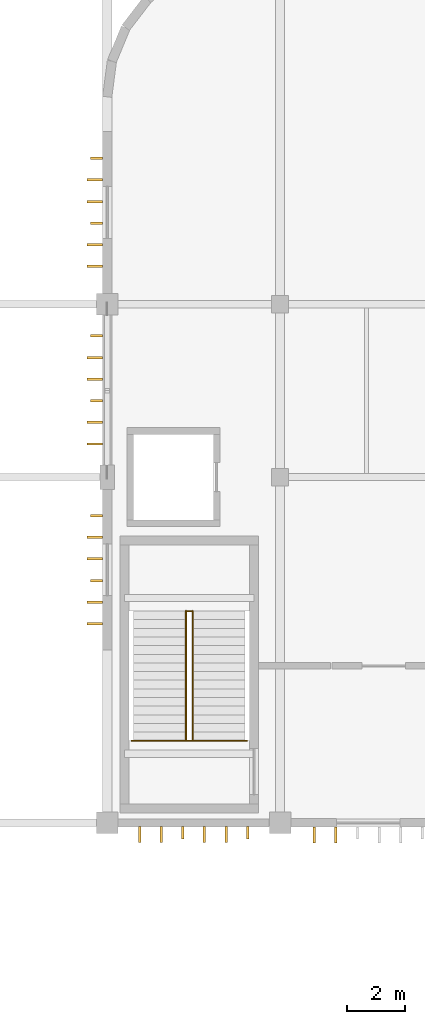
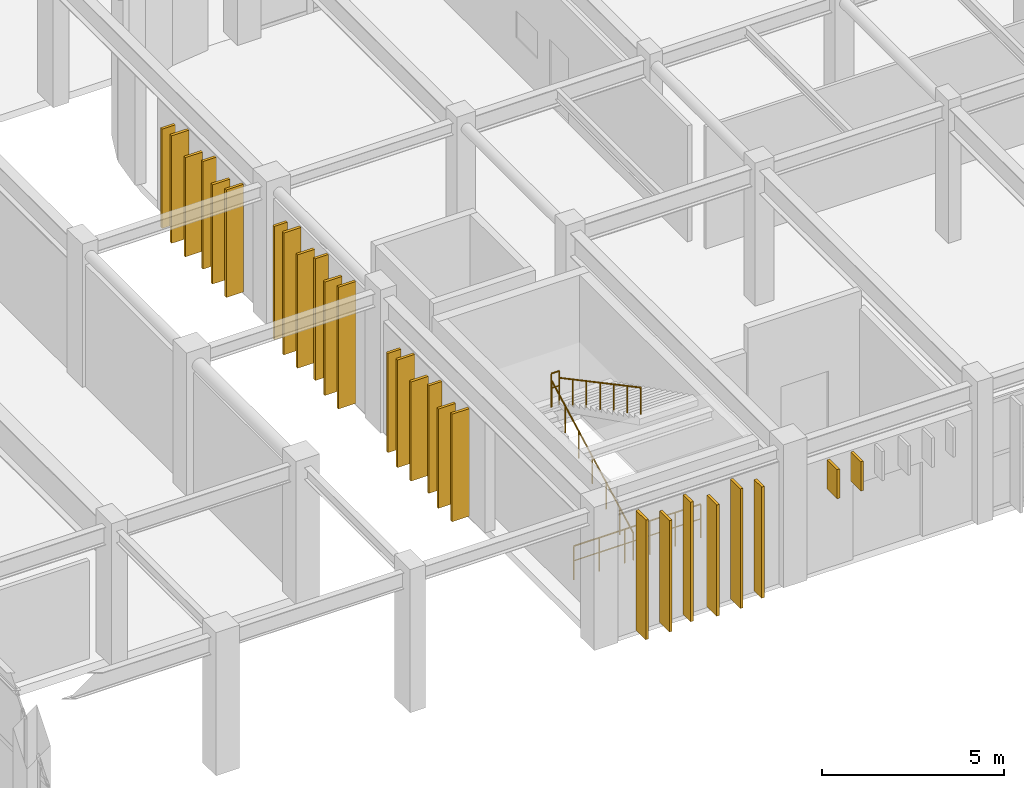
# One storey, part 69 of 76: 26 coverings, 4 railings.
"""IFC4 building model written with IfcOpenShell, lengths in metres."""

from ifc_helpers import new_model, si_unit, direction, frame, origin, origin_2d, place, context, subcontext, project, spatial, rectangle, circle, extrude, material, layer, layer_set, type_object, element, save


model = new_model("IFC4")

# Units and contexts
model_context = context("Model", 3, precision=1e-05, world=origin(), true_north=direction((0.0, 1.0)))
body_context = subcontext(model_context, "Body", "Model", "MODEL_VIEW")
ifc_project = project(units=[si_unit("LENGTHUNIT", "METRE"), si_unit("AREAUNIT", "SQUARE_METRE"), si_unit("VOLUMEUNIT", "CUBIC_METRE"), si_unit("PLANEANGLEUNIT", "RADIAN"), si_unit("MASSUNIT", "GRAM", prefix="KILO")], contexts=[model_context])

# Site, building, storey
site_placement = place(None, origin())
site = spatial("IfcSite", under=ifc_project, at=site_placement, CompositionType="ELEMENT")
building_placement = place(site_placement, origin())
building = spatial("IfcBuilding", under=site, at=building_placement, Name="Varnakota Square Police Headquarters", CompositionType="ELEMENT")
storey_placement = place(building_placement, origin())
storey = spatial("IfcBuildingStorey", under=building, at=storey_placement, Name="L00", CompositionType="ELEMENT", Elevation=0.0)

# Coverings
ifc_material_1 = material(Name="White Anodised Aluminium Vertical Facade Blade 420", Category="aluminium")
ifc_layer_1 = layer(ifc_material_1, 0.0849609375, Name="White Anodised Aluminium Vertical Facade Blade 420")
ifc_layer_set_1 = layer_set([ifc_layer_1], Name="White Anodised Aluminium Vertical Facade Blade 420")
covering_type_1 = type_object("IfcCoveringType", Name="COV-FIN-420", PredefinedType="CLADDING", material=ifc_layer_set_1)
covering_1_placement = place(storey_placement, frame((62.625, 68.655029296875, 0.0400390625), z_axis=(0.0, 0.0, 1.0), x_axis=(1.0, 0.0, 0.0)))
element("IfcCovering", 1, at=covering_1_placement, inside=storey, type_object=covering_type_1, Name="Vertical aluminium facade fin FIN-1046", PredefinedType="CLADDING", context=body_context, shape_type="SweptSolid", body=[
    extrude(rectangle(XDim=0.0849609375, YDim=0.419921875, at=origin_2d()), origin(), (0.0, 0.0, 1.0), 4.010009765625),
])
covering_2_placement = place(storey_placement, frame((64.875, 68.655029296875, 0.0400390625), z_axis=(0.0, 0.0, 1.0), x_axis=(1.0, 0.0, 0.0)))
element("IfcCovering", 2, at=covering_2_placement, inside=storey, type_object=covering_type_1, Name="Vertical aluminium facade fin FIN-1049", PredefinedType="CLADDING", context=body_context, shape_type="SweptSolid", body=[
    extrude(rectangle(XDim=0.0849609375, YDim=0.419921875, at=origin_2d()), origin(), (0.0, 0.0, 1.0), 3.72998046875),
])
covering_3_placement = place(storey_placement, frame((59.635009765625, 77.410400390625, 0.0400390625), z_axis=(0.0, 0.0, 1.0), x_axis=(0.0, 1.0, 0.0)))
element("IfcCovering", 3, at=covering_3_placement, inside=storey, type_object=covering_type_1, Name="Vertical aluminium facade fin FIN-1106", PredefinedType="CLADDING", context=body_context, shape_type="SweptSolid", body=[
    extrude(rectangle(XDim=0.0849609375, YDim=0.419921875, at=origin_2d()), origin(), (0.0, 0.0, 1.0), 3.610107421875),
])
covering_4_placement = place(storey_placement, frame((59.635009765625, 79.660400390625, 0.0400390625), z_axis=(0.0, 0.0, 1.0), x_axis=(0.0, 1.0, 0.0)))
element("IfcCovering", 4, at=covering_4_placement, inside=storey, type_object=covering_type_1, Name="Vertical aluminium facade fin FIN-1109", PredefinedType="CLADDING", context=body_context, shape_type="SweptSolid", body=[
    extrude(rectangle(XDim=0.0849609375, YDim=0.419921875, at=origin_2d()), origin(), (0.0, 0.0, 1.0), 3.330078125),
])
covering_5_placement = place(storey_placement, frame((59.635009765625, 83.64990234375, 0.0400390625), z_axis=(0.0, 0.0, 1.0), x_axis=(0.0, 1.0, 0.0)))
element("IfcCovering", 5, at=covering_5_placement, inside=storey, type_object=covering_type_1, Name="Vertical aluminium facade fin FIN-1112", PredefinedType="CLADDING", context=body_context, shape_type="SweptSolid", body=[
    extrude(rectangle(XDim=0.0849609375, YDim=0.419921875, at=origin_2d()), origin(), (0.0, 0.0, 1.0), 4.086181640625),
])
covering_6_placement = place(storey_placement, frame((59.635009765625, 85.89990234375, 0.0400390625), z_axis=(0.0, 0.0, 1.0), x_axis=(0.0, 1.0, 0.0)))
element("IfcCovering", 6, at=covering_6_placement, inside=storey, type_object=covering_type_1, Name="Vertical aluminium facade fin FIN-1115", PredefinedType="CLADDING", context=body_context, shape_type="SweptSolid", body=[
    extrude(rectangle(XDim=0.0849609375, YDim=0.419921875, at=origin_2d()), origin(), (0.0, 0.0, 1.0), 3.80615234375),
])
covering_7_placement = place(storey_placement, frame((59.635009765625, 89.814453125, 0.0400390625), z_axis=(0.0, 0.0, 1.0), x_axis=(0.0, 1.0, 0.0)))
element("IfcCovering", 7, at=covering_7_placement, inside=storey, type_object=covering_type_1, Name="Vertical aluminium facade fin FIN-1118", PredefinedType="CLADDING", context=body_context, shape_type="SweptSolid", body=[
    extrude(rectangle(XDim=0.0849609375, YDim=0.419921875, at=origin_2d()), origin(), (0.0, 0.0, 1.0), 3.610107421875),
])
covering_8_placement = place(storey_placement, frame((59.635009765625, 92.064453125, 0.0400390625), z_axis=(0.0, 0.0, 1.0), x_axis=(0.0, 1.0, 0.0)))
element("IfcCovering", 8, at=covering_8_placement, inside=storey, type_object=covering_type_1, Name="Vertical aluminium facade fin FIN-1121", PredefinedType="CLADDING", context=body_context, shape_type="SweptSolid", body=[
    extrude(rectangle(XDim=0.0849609375, YDim=0.419921875, at=origin_2d()), origin(), (0.0, 0.0, 1.0), 3.330078125),
])
ifc_material_2 = material(Name="White Anodised Aluminium Vertical Facade Blade 550", Category="aluminium")
ifc_layer_2 = layer(ifc_material_2, 0.0849609375, Name="White Anodised Aluminium Vertical Facade Blade 550")
ifc_layer_set_2 = layer_set([ifc_layer_2], Name="White Anodised Aluminium Vertical Facade Blade 550")
covering_type_2 = type_object("IfcCoveringType", Name="COV-FIN-550", PredefinedType="CLADDING", material=ifc_layer_set_2)
covering_9_placement = place(storey_placement, frame((61.125, 68.590087890625, 0.0400390625), z_axis=(0.0, 0.0, 1.0), x_axis=(1.0, 0.0, 0.0)))
element("IfcCovering", 9, at=covering_9_placement, inside=storey, type_object=covering_type_2, Name="Vertical aluminium facade fin FIN-1044", PredefinedType="CLADDING", context=body_context, shape_type="SweptSolid", body=[
    extrude(rectangle(XDim=0.0849609375, YDim=0.550048828125, at=origin_2d()), origin(), (0.0, 0.0, 1.0), 4.010009765625),
])
for number, where, z_axis, x_axis, name in (
    (10, (61.875, 68.590087890625, 0.0400390625), (0.0, 0.0, 1.0), (1.0, 0.0, 0.0), "Vertical aluminium facade fin FIN-1045"),
    (11, (63.375, 68.590087890625, 0.0400390625), (0.0, 0.0, 1.0), (1.0, 0.0, 0.0), "Vertical aluminium facade fin FIN-1047"),
):
    element("IfcCovering", number, at=place(storey_placement, frame(where, z_axis=z_axis, x_axis=x_axis)), inside=storey, type_object=covering_type_2, Name=name, PredefinedType="CLADDING", context=body_context, shape_type="SweptSolid", body=[
        extrude(rectangle(XDim=0.0849609375, YDim=0.550048828125, at=origin_2d()), origin(), (0.0, 0.0, 1.0), 3.72998046875),
    ])
covering_10_placement = place(storey_placement, frame((64.125, 68.590087890625, 0.0400390625), z_axis=(0.0, 0.0, 1.0), x_axis=(1.0, 0.0, 0.0)))
element("IfcCovering", 12, at=covering_10_placement, inside=storey, type_object=covering_type_2, Name="Vertical aluminium facade fin FIN-1048", PredefinedType="CLADDING", context=body_context, shape_type="SweptSolid", body=[
    extrude(rectangle(XDim=0.0849609375, YDim=0.550048828125, at=origin_2d()), origin(), (0.0, 0.0, 1.0), 4.010009765625),
])
for number, where, z_axis, x_axis, name in (
    (13, (67.1875, 68.580078125, 2.64990234375), (0.0, 0.0, 1.0), (1.0, 0.0, 0.0), "Vertical aluminium facade fin FIN-1050"),
    (14, (67.9375, 68.580078125, 2.64990234375), (0.0, 0.0, 1.0), (1.0, 0.0, 0.0), "Vertical aluminium facade fin FIN-1051"),
):
    element("IfcCovering", number, at=place(storey_placement, frame(where, z_axis=z_axis, x_axis=x_axis)), inside=storey, type_object=covering_type_2, Name=name, PredefinedType="CLADDING", context=body_context, shape_type="SweptSolid", body=[
        extrude(rectangle(XDim=0.0849609375, YDim=0.550048828125, at=origin_2d()), origin(), (0.0, 0.0, 1.0), 0.97998046875),
    ])
covering_11_placement = place(storey_placement, frame((59.570068359375, 75.910400390625, 0.0400390625), z_axis=(0.0, 0.0, 1.0), x_axis=(0.0, 1.0, 0.0)))
element("IfcCovering", 15, at=covering_11_placement, inside=storey, type_object=covering_type_2, Name="Vertical aluminium facade fin FIN-1104", PredefinedType="CLADDING", context=body_context, shape_type="SweptSolid", body=[
    extrude(rectangle(XDim=0.0849609375, YDim=0.550048828125, at=origin_2d()), origin(), (0.0, 0.0, 1.0), 3.610107421875),
])
for number, where, z_axis, x_axis, name in (
    (16, (59.570068359375, 76.660400390625, 0.0400390625), (0.0, 0.0, 1.0), (0.0, 1.0, 0.0), "Vertical aluminium facade fin FIN-1105"),
    (17, (59.570068359375, 78.160400390625, 0.0400390625), (0.0, 0.0, 1.0), (0.0, 1.0, 0.0), "Vertical aluminium facade fin FIN-1107"),
):
    element("IfcCovering", number, at=place(storey_placement, frame(where, z_axis=z_axis, x_axis=x_axis)), inside=storey, type_object=covering_type_2, Name=name, PredefinedType="CLADDING", context=body_context, shape_type="SweptSolid", body=[
        extrude(rectangle(XDim=0.0849609375, YDim=0.550048828125, at=origin_2d()), origin(), (0.0, 0.0, 1.0), 3.330078125),
    ])
covering_12_placement = place(storey_placement, frame((59.570068359375, 78.910400390625, 0.0400390625), z_axis=(0.0, 0.0, 1.0), x_axis=(0.0, 1.0, 0.0)))
element("IfcCovering", 18, at=covering_12_placement, inside=storey, type_object=covering_type_2, Name="Vertical aluminium facade fin FIN-1108", PredefinedType="CLADDING", context=body_context, shape_type="SweptSolid", body=[
    extrude(rectangle(XDim=0.0849609375, YDim=0.550048828125, at=origin_2d()), origin(), (0.0, 0.0, 1.0), 3.610107421875),
])
covering_13_placement = place(storey_placement, frame((59.570068359375, 82.14990234375, 0.0400390625), z_axis=(0.0, 0.0, 1.0), x_axis=(0.0, 1.0, 0.0)))
element("IfcCovering", 19, at=covering_13_placement, inside=storey, type_object=covering_type_2, Name="Vertical aluminium facade fin FIN-1110", PredefinedType="CLADDING", context=body_context, shape_type="SweptSolid", body=[
    extrude(rectangle(XDim=0.0849609375, YDim=0.550048828125, at=origin_2d()), origin(), (0.0, 0.0, 1.0), 4.086181640625),
])
for number, where, z_axis, x_axis, name in (
    (20, (59.570068359375, 82.89990234375, 0.0400390625), (0.0, 0.0, 1.0), (0.0, 1.0, 0.0), "Vertical aluminium facade fin FIN-1111"),
    (21, (59.570068359375, 84.39990234375, 0.0400390625), (0.0, 0.0, 1.0), (0.0, 1.0, 0.0), "Vertical aluminium facade fin FIN-1113"),
):
    element("IfcCovering", number, at=place(storey_placement, frame(where, z_axis=z_axis, x_axis=x_axis)), inside=storey, type_object=covering_type_2, Name=name, PredefinedType="CLADDING", context=body_context, shape_type="SweptSolid", body=[
        extrude(rectangle(XDim=0.0849609375, YDim=0.550048828125, at=origin_2d()), origin(), (0.0, 0.0, 1.0), 3.80615234375),
    ])
covering_14_placement = place(storey_placement, frame((59.570068359375, 85.14990234375, 0.0400390625), z_axis=(0.0, 0.0, 1.0), x_axis=(0.0, 1.0, 0.0)))
element("IfcCovering", 22, at=covering_14_placement, inside=storey, type_object=covering_type_2, Name="Vertical aluminium facade fin FIN-1114", PredefinedType="CLADDING", context=body_context, shape_type="SweptSolid", body=[
    extrude(rectangle(XDim=0.0849609375, YDim=0.550048828125, at=origin_2d()), origin(), (0.0, 0.0, 1.0), 4.086181640625),
])
covering_15_placement = place(storey_placement, frame((59.570068359375, 88.314453125, 0.0400390625), z_axis=(0.0, 0.0, 1.0), x_axis=(0.0, 1.0, 0.0)))
element("IfcCovering", 23, at=covering_15_placement, inside=storey, type_object=covering_type_2, Name="Vertical aluminium facade fin FIN-1116", PredefinedType="CLADDING", context=body_context, shape_type="SweptSolid", body=[
    extrude(rectangle(XDim=0.0849609375, YDim=0.550048828125, at=origin_2d()), origin(), (0.0, 0.0, 1.0), 3.610107421875),
])
for number, where, z_axis, x_axis, name in (
    (24, (59.570068359375, 89.064453125, 0.0400390625), (0.0, 0.0, 1.0), (0.0, 1.0, 0.0), "Vertical aluminium facade fin FIN-1117"),
    (25, (59.570068359375, 90.564453125, 0.0400390625), (0.0, 0.0, 1.0), (0.0, 1.0, 0.0), "Vertical aluminium facade fin FIN-1119"),
):
    element("IfcCovering", number, at=place(storey_placement, frame(where, z_axis=z_axis, x_axis=x_axis)), inside=storey, type_object=covering_type_2, Name=name, PredefinedType="CLADDING", context=body_context, shape_type="SweptSolid", body=[
        extrude(rectangle(XDim=0.0849609375, YDim=0.550048828125, at=origin_2d()), origin(), (0.0, 0.0, 1.0), 3.330078125),
    ])
covering_16_placement = place(storey_placement, frame((59.570068359375, 91.314453125, 0.0400390625), z_axis=(0.0, 0.0, 1.0), x_axis=(0.0, 1.0, 0.0)))
element("IfcCovering", 26, at=covering_16_placement, inside=storey, type_object=covering_type_2, Name="Vertical aluminium facade fin FIN-1120", PredefinedType="CLADDING", context=body_context, shape_type="SweptSolid", body=[
    extrude(rectangle(XDim=0.0849609375, YDim=0.550048828125, at=origin_2d()), origin(), (0.0, 0.0, 1.0), 3.610107421875),
])

# Railings
ifc_material_3 = material(Name="Brushed Stainless Steel Tubular Handrail", Category="steel")
railing_type_1 = type_object("IfcRailingType", Name="RL-HND-920", PredefinedType="HANDRAIL", material=ifc_material_3)
railing_1_placement = place(storey_placement, frame((62.72998046875, 71.85009765625, 0.0)))
element("IfcRailing", 27, at=railing_1_placement, inside=storey, type_object=railing_type_1, Name="Stair flight handrail HR-L00-067", PredefinedType="HANDRAIL", context=body_context, shape_type="SweptSolid", body=[
    extrude(circle(Radius=0.02392578125, at=origin_2d()), frame((0.0, 0.0, 0.89599609375), z_axis=(0.0, 0.882392687573, 0.470513703219), x_axis=(-1.0, 0.0, 0.0)), (0.0, 0.0, 1.0), 5.1005859375),
    extrude(circle(Radius=0.02099609375, at=origin_2d()), origin(), (0.0, 0.0, 1.0), 0.871826171875),
    extrude(circle(Radius=0.02099609375, at=origin_2d()), frame((0.0, 0.75, 0.39990234375)), (0.0, 0.0, 1.0), 0.871826171875),
    extrude(circle(Radius=0.02099609375, at=origin_2d()), frame((0.0, 1.500244140625, 0.800048828125)), (0.0, 0.0, 1.0), 0.871826171875),
    extrude(circle(Radius=0.02099609375, at=origin_2d()), frame((0.0, 2.25048828125, 1.199951171875)), (0.0, 0.0, 1.0), 0.871826171875),
    extrude(circle(Radius=0.02099609375, at=origin_2d()), frame((0.0, 3.00048828125, 1.599853515625)), (0.0, 0.0, 1.0), 0.871826171875),
    extrude(circle(Radius=0.02099609375, at=origin_2d()), frame((0.0, 3.75048828125, 2.0)), (0.0, 0.0, 1.0), 0.871826171875),
    extrude(circle(Radius=0.02099609375, at=origin_2d()), frame((0.0, 4.500732421875, 2.39990234375)), (0.0, 0.0, 1.0), 0.871826171875),
])
railing_2_placement = place(storey_placement, frame((62.969970703125, 76.350830078125, 2.39990234375)))
element("IfcRailing", 28, at=railing_2_placement, inside=storey, type_object=railing_type_1, Name="Stair flight handrail HR-L00-068", PredefinedType="HANDRAIL", context=body_context, shape_type="SweptSolid", body=[
    extrude(circle(Radius=0.02392578125, at=origin_2d()), frame((0.0, 0.0, 0.89599609375), z_axis=(0.0, -0.882372814714, 0.470550970516), x_axis=(1.0, 0.0, 0.0)), (0.0, 0.0, 1.0), 5.100830078125),
    extrude(circle(Radius=0.02099609375, at=origin_2d()), origin(), (0.0, 0.0, 1.0), 0.871826171875),
    extrude(circle(Radius=0.02099609375, at=origin_2d()), frame((0.0, -0.75, 0.39990234375)), (0.0, 0.0, 1.0), 0.871826171875),
    extrude(circle(Radius=0.02099609375, at=origin_2d()), frame((0.0, -1.500244140625, 0.800048828125)), (0.0, 0.0, 1.0), 0.871826171875),
    extrude(circle(Radius=0.02099609375, at=origin_2d()), frame((0.0, -2.25048828125, 1.2001953125)), (0.0, 0.0, 1.0), 0.871826171875),
    extrude(circle(Radius=0.02099609375, at=origin_2d()), frame((0.0, -3.00048828125, 1.60009765625)), (0.0, 0.0, 1.0), 0.871826171875),
    extrude(circle(Radius=0.02099609375, at=origin_2d()), frame((0.0, -3.75048828125, 2.0)), (0.0, 0.0, 1.0), 0.871826171875),
    extrude(circle(Radius=0.02099609375, at=origin_2d()), frame((0.0, -4.500732421875, 2.400146484375)), (0.0, 0.0, 1.0), 0.871826171875),
])
ifc_material_4 = material(Name="Laminated Glass and Stainless Steel Balustrade", Category="steel")
railing_type_2 = type_object("IfcRailingType", Name="RL-INT-1150", PredefinedType="BALUSTRADE", material=ifc_material_4)
railing_3_placement = place(storey_placement, frame((60.840087890625, 71.85009765625, 0.0)))
element("IfcRailing", 29, at=railing_3_placement, inside=storey, type_object=railing_type_2, Name="Stair well safety guard C6 L00", PredefinedType="BALUSTRADE", context=body_context, shape_type="SweptSolid", body=[
    extrude(circle(Radius=0.02392578125, at=origin_2d()), frame((0.0, 0.0, 1.1259765625), z_axis=(1.0, 0.0, 0.0), x_axis=(0.0, 1.0, 0.0)), (0.0, 0.0, 1.0), 4.02001953125),
    extrude(circle(Radius=0.01806640625, at=origin_2d()), frame((0.0, 0.0, 0.63232421875), z_axis=(1.0, 0.0, 0.0), x_axis=(0.0, 1.0, 0.0)), (0.0, 0.0, 1.0), 4.02001953125),
    extrude(circle(Radius=0.02099609375, at=origin_2d()), origin(), (0.0, 0.0, 1.0), 1.101806640625),
    extrude(circle(Radius=0.02099609375, at=origin_2d()), frame((0.803955078125, 0.0, 0.0)), (0.0, 0.0, 1.0), 1.101806640625),
    extrude(circle(Radius=0.02099609375, at=origin_2d()), frame((1.60791015625, 0.0, 0.0)), (0.0, 0.0, 1.0), 1.101806640625),
    extrude(circle(Radius=0.02099609375, at=origin_2d()), frame((2.412109375, 0.0, 0.0)), (0.0, 0.0, 1.0), 1.101806640625),
    extrude(circle(Radius=0.02099609375, at=origin_2d()), frame((3.216064453125, 0.0, 0.0)), (0.0, 0.0, 1.0), 1.101806640625),
    extrude(circle(Radius=0.02099609375, at=origin_2d()), frame((4.02001953125, 0.0, 0.0)), (0.0, 0.0, 1.0), 1.101806640625),
])
railing_4_placement = place(storey_placement, frame((62.719970703125, 76.350830078125, 2.39990234375)))
element("IfcRailing", 30, at=railing_4_placement, inside=storey, type_object=railing_type_2, Name="Half-landing well guard C6 L00", PredefinedType="BALUSTRADE", context=body_context, shape_type="SweptSolid", body=[
    extrude(circle(Radius=0.02392578125, at=origin_2d()), frame((0.0, 0.0, 1.1259765625), z_axis=(1.0, 0.0, 0.0), x_axis=(0.0, 1.0, 0.0)), (0.0, 0.0, 1.0), 0.260009765625),
    extrude(circle(Radius=0.01806640625, at=origin_2d()), frame((0.0, 0.0, 0.63232421875), z_axis=(1.0, 0.0, 0.0), x_axis=(0.0, 1.0, 0.0)), (0.0, 0.0, 1.0), 0.260009765625),
    extrude(circle(Radius=0.02099609375, at=origin_2d()), origin(), (0.0, 0.0, 1.0), 1.101806640625),
    extrude(circle(Radius=0.02099609375, at=origin_2d()), frame((0.260009765625, 0.0, 0.0)), (0.0, 0.0, 1.0), 1.101806640625),
])

save(model, "model.ifc")
